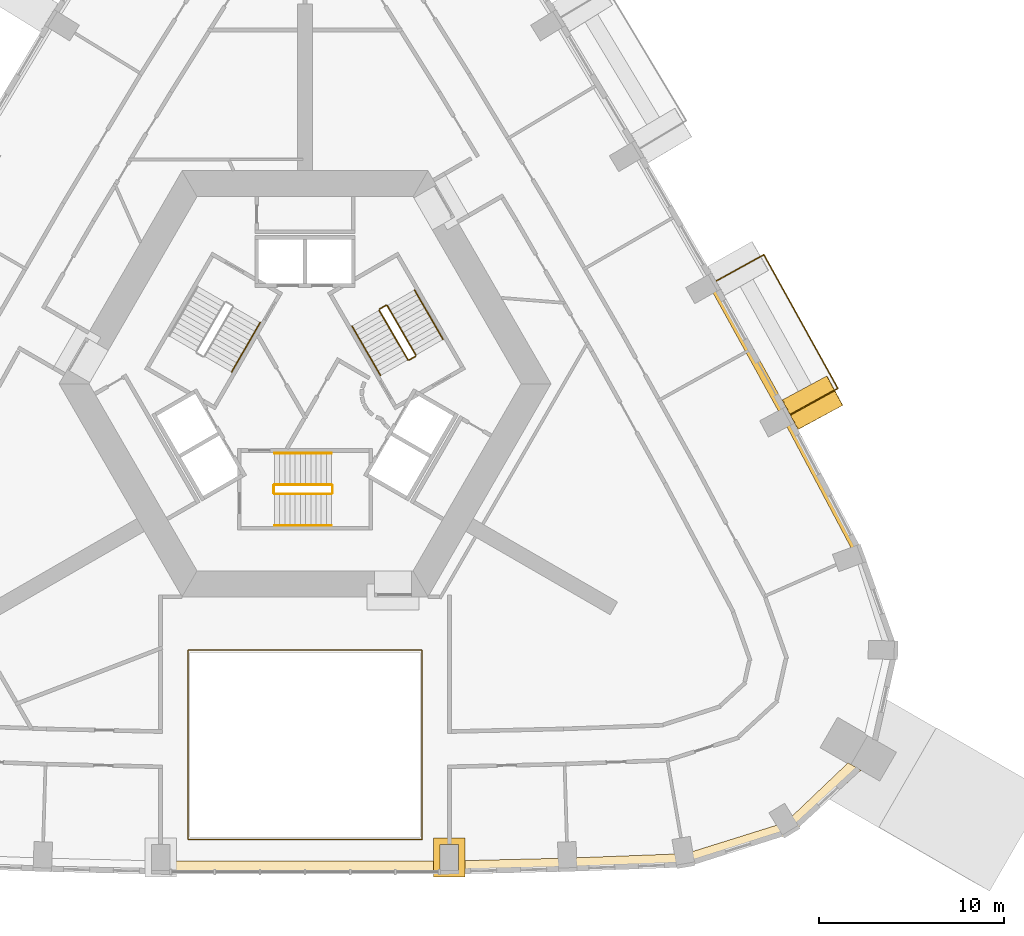
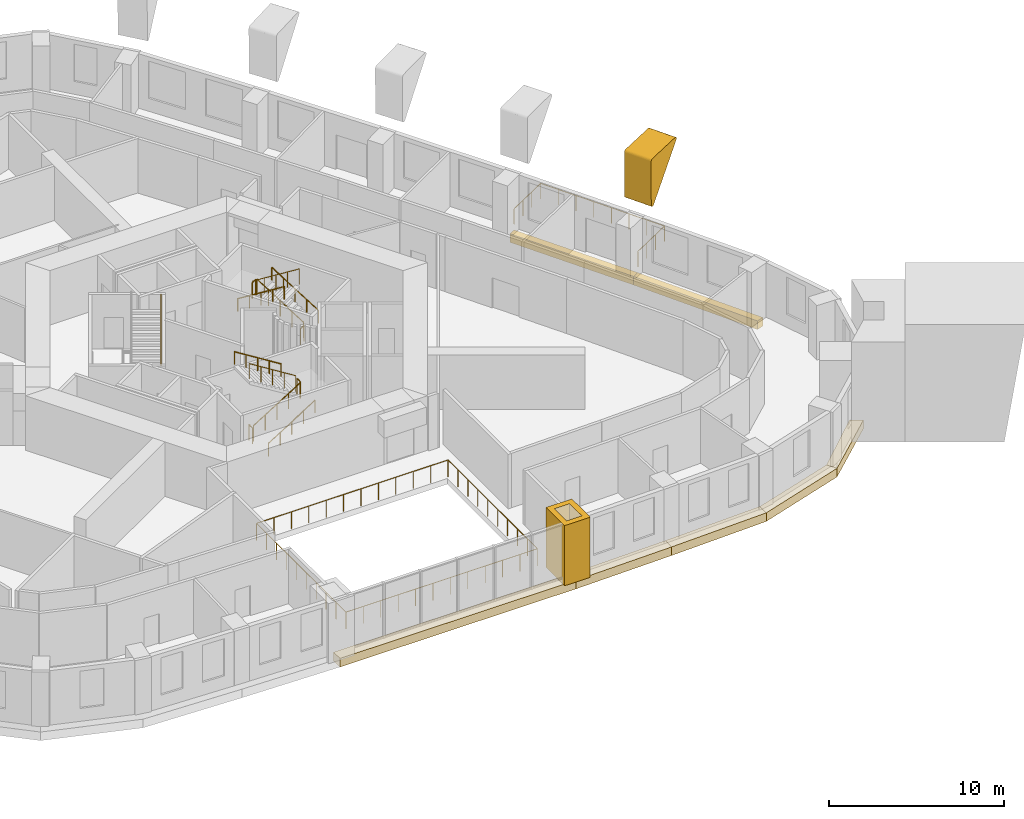
# One storey, part 12 of 13: 15 railings, 9 coverings.
"""IFC4 building model written with IfcOpenShell, lengths in metres."""

from ifc_helpers import new_model, si_unit, direction, frame, origin, origin_2d, place, context, subcontext, project, spatial, polyline, circle, outline, extrude, material, type_object, element, save


model = new_model("IFC4")

# Units and contexts
model_context = context("Model", 3, precision=1e-05, world=origin(), true_north=direction((0.0, 1.0)))
body_context = subcontext(model_context, "Body", "Model", "MODEL_VIEW")
ifc_project = project(units=[si_unit("LENGTHUNIT", "METRE"), si_unit("AREAUNIT", "SQUARE_METRE"), si_unit("VOLUMEUNIT", "CUBIC_METRE"), si_unit("PLANEANGLEUNIT", "RADIAN"), si_unit("MASSUNIT", "GRAM", prefix="KILO")], contexts=[model_context])

# Site, building, storey
site_placement = place(None, origin())
site = spatial("IfcSite", under=ifc_project, at=site_placement, CompositionType="ELEMENT")
building_placement = place(site_placement, origin())
building = spatial("IfcBuilding", under=site, at=building_placement, Name="Entoto Arch Interchange Tower", CompositionType="ELEMENT")
storey_placement = place(building_placement, frame((0.0, 0.0, 227.60009765625)))
storey = spatial("IfcBuildingStorey", under=building, at=storey_placement, Name="L51", CompositionType="ELEMENT", Elevation=227.60009765625)

# Railings
ifc_material_1 = material(Name="Stainless steel 1.4301", Category="steel")
railing_type_1 = type_object("IfcRailingType", Name="ATRIUM GUARD 1200 STEEL AND GLASS", PredefinedType="GUARDRAIL", material=ifc_material_1)
railing_1_placement = place(storey_placement, frame((6.320068359375, -22.097900390625, 0.0)))
element("IfcRailing", 1, at=railing_1_placement, inside=storey, type_object=railing_type_1, Name="Atrium guard L51", PredefinedType="GUARDRAIL", context=body_context, shape_type="SweptSolid", body=[
    extrude(circle(Radius=0.02392578125, at=origin_2d()), frame((0.0, 0.0, 1.17578125), z_axis=(-1.0, 0.0, 0.0), x_axis=(0.0, -1.0, 0.0)), (0.0, 0.0, 1.0), 12.64013671875),
    extrude(circle(Radius=0.02392578125, at=origin_2d()), frame((-12.64013671875, 0.0, 1.17578125), z_axis=(0.0, 1.0, 0.0), x_axis=(-1.0, 0.0, 0.0)), (0.0, 0.0, 1.0), 10.218017578125),
    extrude(circle(Radius=0.02392578125, at=origin_2d()), frame((-12.64013671875, 10.218017578125, 1.17578125), z_axis=(1.0, 0.0, 0.0), x_axis=(0.0, 1.0, 0.0)), (0.0, 0.0, 1.0), 12.64013671875),
    extrude(circle(Radius=0.02392578125, at=origin_2d()), frame((0.0, 10.218017578125, 1.17578125), z_axis=(0.0, -1.0, 0.0), x_axis=(1.0, 0.0, 0.0)), (0.0, 0.0, 1.0), 10.218017578125),
    extrude(circle(Radius=0.02099609375, at=origin_2d()), origin(), (0.0, 0.0, 1.0), 1.15185546875),
    extrude(circle(Radius=0.02099609375, at=origin_2d()), frame((-1.149169921875, 0.0, 0.0)), (0.0, 0.0, 1.0), 1.15185546875),
    extrude(circle(Radius=0.02099609375, at=origin_2d()), frame((-2.298095703125, 0.0, 0.0)), (0.0, 0.0, 1.0), 1.15185546875),
    extrude(circle(Radius=0.02099609375, at=origin_2d()), frame((-3.447265625, 0.0, 0.0)), (0.0, 0.0, 1.0), 1.15185546875),
    extrude(circle(Radius=0.02099609375, at=origin_2d()), frame((-4.596435546875, 0.0, 0.0)), (0.0, 0.0, 1.0), 1.15185546875),
    extrude(circle(Radius=0.02099609375, at=origin_2d()), frame((-5.74560546875, 0.0, 0.0)), (0.0, 0.0, 1.0), 1.15185546875),
    extrude(circle(Radius=0.02099609375, at=origin_2d()), frame((-6.89453125, 0.0, 0.0)), (0.0, 0.0, 1.0), 1.15185546875),
    extrude(circle(Radius=0.02099609375, at=origin_2d()), frame((-8.043701171875, 0.0, 0.0)), (0.0, 0.0, 1.0), 1.15185546875),
    extrude(circle(Radius=0.02099609375, at=origin_2d()), frame((-9.19287109375, 0.0, 0.0)), (0.0, 0.0, 1.0), 1.15185546875),
    extrude(circle(Radius=0.02099609375, at=origin_2d()), frame((-10.342041015625, 0.0, 0.0)), (0.0, 0.0, 1.0), 1.15185546875),
    extrude(circle(Radius=0.02099609375, at=origin_2d()), frame((-11.490966796875, 0.0, 0.0)), (0.0, 0.0, 1.0), 1.15185546875),
    extrude(circle(Radius=0.02099609375, at=origin_2d()), frame((-12.64013671875, 0.0, 0.0)), (0.0, 0.0, 1.0), 1.15185546875),
    extrude(circle(Radius=0.02099609375, at=origin_2d()), frame((-12.64013671875, 1.13525390625, 0.0)), (0.0, 0.0, 1.0), 1.15185546875),
    extrude(circle(Radius=0.02099609375, at=origin_2d()), frame((-12.64013671875, 2.270751953125, 0.0)), (0.0, 0.0, 1.0), 1.15185546875),
    extrude(circle(Radius=0.02099609375, at=origin_2d()), frame((-12.64013671875, 3.406005859375, 0.0)), (0.0, 0.0, 1.0), 1.15185546875),
    extrude(circle(Radius=0.02099609375, at=origin_2d()), frame((-12.64013671875, 4.541259765625, 0.0)), (0.0, 0.0, 1.0), 1.15185546875),
    extrude(circle(Radius=0.02099609375, at=origin_2d()), frame((-12.64013671875, 5.6767578125, 0.0)), (0.0, 0.0, 1.0), 1.15185546875),
    extrude(circle(Radius=0.02099609375, at=origin_2d()), frame((-12.64013671875, 6.81201171875, 0.0)), (0.0, 0.0, 1.0), 1.15185546875),
    extrude(circle(Radius=0.02099609375, at=origin_2d()), frame((-12.64013671875, 7.947265625, 0.0)), (0.0, 0.0, 1.0), 1.15185546875),
    extrude(circle(Radius=0.02099609375, at=origin_2d()), frame((-12.64013671875, 9.082763671875, 0.0)), (0.0, 0.0, 1.0), 1.15185546875),
    extrude(circle(Radius=0.02099609375, at=origin_2d()), frame((-12.64013671875, 10.218017578125, 0.0)), (0.0, 0.0, 1.0), 1.15185546875),
    extrude(circle(Radius=0.02099609375, at=origin_2d()), frame((-11.490966796875, 10.218017578125, 0.0)), (0.0, 0.0, 1.0), 1.15185546875),
    extrude(circle(Radius=0.02099609375, at=origin_2d()), frame((-10.342041015625, 10.218017578125, 0.0)), (0.0, 0.0, 1.0), 1.15185546875),
    extrude(circle(Radius=0.02099609375, at=origin_2d()), frame((-9.19287109375, 10.218017578125, 0.0)), (0.0, 0.0, 1.0), 1.15185546875),
    extrude(circle(Radius=0.02099609375, at=origin_2d()), frame((-8.043701171875, 10.218017578125, 0.0)), (0.0, 0.0, 1.0), 1.15185546875),
    extrude(circle(Radius=0.02099609375, at=origin_2d()), frame((-6.89453125, 10.218017578125, 0.0)), (0.0, 0.0, 1.0), 1.15185546875),
    extrude(circle(Radius=0.02099609375, at=origin_2d()), frame((-5.74560546875, 10.218017578125, 0.0)), (0.0, 0.0, 1.0), 1.15185546875),
    extrude(circle(Radius=0.02099609375, at=origin_2d()), frame((-4.596435546875, 10.218017578125, 0.0)), (0.0, 0.0, 1.0), 1.15185546875),
    extrude(circle(Radius=0.02099609375, at=origin_2d()), frame((-3.447265625, 10.218017578125, 0.0)), (0.0, 0.0, 1.0), 1.15185546875),
    extrude(circle(Radius=0.02099609375, at=origin_2d()), frame((-2.298095703125, 10.218017578125, 0.0)), (0.0, 0.0, 1.0), 1.15185546875),
    extrude(circle(Radius=0.02099609375, at=origin_2d()), frame((-1.149169921875, 10.218017578125, 0.0)), (0.0, 0.0, 1.0), 1.15185546875),
    extrude(circle(Radius=0.02099609375, at=origin_2d()), frame((0.0, 10.218017578125, 0.0)), (0.0, 0.0, 1.0), 1.15185546875),
    extrude(circle(Radius=0.02099609375, at=origin_2d()), frame((0.0, 9.082763671875, 0.0)), (0.0, 0.0, 1.0), 1.15185546875),
    extrude(circle(Radius=0.02099609375, at=origin_2d()), frame((0.0, 7.947265625, 0.0)), (0.0, 0.0, 1.0), 1.15185546875),
    extrude(circle(Radius=0.02099609375, at=origin_2d()), frame((0.0, 6.81201171875, 0.0)), (0.0, 0.0, 1.0), 1.15185546875),
    extrude(circle(Radius=0.02099609375, at=origin_2d()), frame((0.0, 5.6767578125, 0.0)), (0.0, 0.0, 1.0), 1.15185546875),
    extrude(circle(Radius=0.02099609375, at=origin_2d()), frame((0.0, 4.541259765625, 0.0)), (0.0, 0.0, 1.0), 1.15185546875),
    extrude(circle(Radius=0.02099609375, at=origin_2d()), frame((0.0, 3.406005859375, 0.0)), (0.0, 0.0, 1.0), 1.15185546875),
    extrude(circle(Radius=0.02099609375, at=origin_2d()), frame((0.0, 2.270751953125, 0.0)), (0.0, 0.0, 1.0), 1.15185546875),
    extrude(circle(Radius=0.02099609375, at=origin_2d()), frame((0.0, 1.13525390625, 0.0)), (0.0, 0.0, 1.0), 1.15185546875),
])
railing_type_2 = type_object("IfcRailingType", Name="GUARD 1100 STEEL AND GLASS", PredefinedType="GUARDRAIL", material=ifc_material_1)
railing_2_placement = place(storey_placement, frame((26.18701171875, 0.818115234375, 0.0)))
element("IfcRailing", 2, at=railing_2_placement, inside=storey, type_object=railing_type_2, Name="Balcony guard NE-02 L51", PredefinedType="GUARDRAIL", context=body_context, shape_type="SweptSolid", body=[
    extrude(circle(Radius=0.02392578125, at=origin_2d()), frame((0.0, 0.0, 1.076171875), z_axis=(0.874652625283, 0.484750229588, 0.0), x_axis=(-0.484750229588, 0.874652625283, 0.0)), (0.0, 0.0, 1.0), 2.949951171875),
    extrude(circle(Radius=0.02392578125, at=origin_2d()), frame((2.580078125, 1.429931640625, 1.076171875), z_axis=(-0.484759113239, 0.874647701724, 0.0), x_axis=(-0.874647701724, -0.484759113239, 0.0)), (0.0, 0.0, 1.0), 8.258056640625),
    extrude(circle(Radius=0.02392578125, at=origin_2d()), frame((-1.423095703125, 8.65283203125, 1.076171875), z_axis=(-0.874633174996, -0.484785322793, 0.0), x_axis=(0.484785322793, -0.874633174996, 0.0)), (0.0, 0.0, 1.0), 2.94970703125),
    extrude(circle(Radius=0.02099609375, at=origin_2d()), origin(), (0.0, 0.0, 1.0), 1.052001953125),
    extrude(circle(Radius=0.02099609375, at=origin_2d()), frame((0.860107421875, 0.4765625, 0.0)), (0.0, 0.0, 1.0), 1.052001953125),
    extrude(circle(Radius=0.02099609375, at=origin_2d()), frame((1.719970703125, 0.953369140625, 0.0)), (0.0, 0.0, 1.0), 1.052001953125),
    extrude(circle(Radius=0.02099609375, at=origin_2d()), frame((2.580078125, 1.429931640625, 0.0)), (0.0, 0.0, 1.0), 1.052001953125),
    extrude(circle(Radius=0.02099609375, at=origin_2d()), frame((2.00830078125, 2.461669921875, 0.0)), (0.0, 0.0, 1.0), 1.052001953125),
    extrude(circle(Radius=0.02099609375, at=origin_2d()), frame((1.436279296875, 3.49365234375, 0.0)), (0.0, 0.0, 1.0), 1.052001953125),
    extrude(circle(Radius=0.02099609375, at=origin_2d()), frame((0.864501953125, 4.525390625, 0.0)), (0.0, 0.0, 1.0), 1.052001953125),
    extrude(circle(Radius=0.02099609375, at=origin_2d()), frame((0.29248046875, 5.557373046875, 0.0)), (0.0, 0.0, 1.0), 1.052001953125),
    extrude(circle(Radius=0.02099609375, at=origin_2d()), frame((-0.279296875, 6.589111328125, 0.0)), (0.0, 0.0, 1.0), 1.052001953125),
    extrude(circle(Radius=0.02099609375, at=origin_2d()), frame((-0.851318359375, 7.62109375, 0.0)), (0.0, 0.0, 1.0), 1.052001953125),
    extrude(circle(Radius=0.02099609375, at=origin_2d()), frame((-1.423095703125, 8.65283203125, 0.0)), (0.0, 0.0, 1.0), 1.052001953125),
    extrude(circle(Radius=0.02099609375, at=origin_2d()), frame((-2.282958984375, 8.17626953125, 0.0)), (0.0, 0.0, 1.0), 1.052001953125),
    extrude(circle(Radius=0.02099609375, at=origin_2d()), frame((-3.14306640625, 7.699462890625, 0.0)), (0.0, 0.0, 1.0), 1.052001953125),
    extrude(circle(Radius=0.02099609375, at=origin_2d()), frame((-4.0029296875, 7.222900390625, 0.0)), (0.0, 0.0, 1.0), 1.052001953125),
])

# Coverings
ifc_material_2 = material(Name="Board-marked precast concrete C50/60", Category="concrete")
covering_type_1 = type_object("IfcCoveringType", Name="PRECAST FRAME COURSE", PredefinedType="CLADDING", material=ifc_material_2)
covering_1_placement = place(storey_placement, frame((26.847900390625, 0.152099609375, 4.52880859375), z_axis=(0.474181456672, -0.880421252864, 0.003219263049), x_axis=(-0.64040961792, -0.347419423162, -0.684963696619)))
element("IfcCovering", 3, at=covering_1_placement, inside=storey, type_object=covering_type_1, Name="Fold rib NE02 L51-L52", PredefinedType="CLADDING", context=body_context, shape_type="SweptSolid", body=[
    extrude(outline(polyline([(0.0, 0.0), (0.04348444132480142, 3.469446951953614e-18), (0.08565848144280483, -0.013512231858806914), (0.12266217940254887, -0.03858316566514664), (0.1494976343794682, -0.07352825472401936), (0.16626397727887765, -0.11375188990356071), (0.16947462050671258, -0.15798963669574703), (0.1600247001061196, -0.20137888977179422), (0.13878421954366793, -0.24038693557333266), (-1.9437167677786034, -2.4564773655693344), (-1.965988662950293, -2.475411599731649), (-1.9912115971794682, -2.489904432940024), (-2.0335973690768294, -2.5023269007314255), (-2.063026418389554, -2.503478248943292), (-2.092291072033244, -2.498081724668665), (-2.132586922044267, -2.4806404563512006), (-2.1560014462090984, -2.462648358678361), (-3.9433085804081784, -0.7823143465947686), (-3.97064089592964, -0.7485737966416508), (-3.982264467914356, -0.7212266127199405), (-3.9884904193807964, -0.6932559650261458), (-3.9897817447319097, -0.6632230468887885), (-3.985260786854724, -0.6346360621168383), (-3.974805272321828, -0.6072685903012112), (-3.9591348536113453, -0.582127256914289), (-3.9394020127419553, -0.5611381772795017), (-3.915897694801169, -0.5433555896062159), (-3.889228712105213, -0.5312351319394464), (-3.860973086843413, -0.5249588996909016), (0.0, 0.0)])), origin(), (0.0, 0.0, -1.0), 1.800048828125),
])
covering_2_placement = place(storey_placement, frame((0.0, 0.0, -0.400146484375)))
element("IfcCovering", 4, at=covering_2_placement, inside=storey, type_object=covering_type_1, Name="Gate pier L51", PredefinedType="CLADDING", context=body_context, shape_type="SweptSolid", body=[
    extrude(outline(polyline([(6.93798828125, -22.028076171875), (8.637939453125, -22.028076171875), (8.637939453125, -24.1279296875), (6.93798828125, -24.1279296875), (6.93798828125, -22.028076171875)]), holes=[polyline([(7.2880859375, -22.3779296875), (7.2880859375, -23.778076171875), (8.2880859375, -23.778076171875), (8.2880859375, -22.3779296875), (7.2880859375, -22.3779296875)])]), origin(), (0.0, 0.0, 1.0), 4.199951171875),
])
covering_type_2 = type_object("IfcCoveringType", Name="PRECAST LEDGE COURSE", PredefinedType="CLADDING", material=ifc_material_2)
covering_3_placement = place(storey_placement, frame((0.0, 0.0, -1.0)))
element("IfcCovering", 5, at=covering_3_placement, inside=storey, type_object=covering_type_2, Name="Precast course S-03 L51", PredefinedType="CLADDING", context=body_context, shape_type="SweptSolid", body=[
    extrude(outline(polyline([(7.800048828125, -23.260986328125), (7.800048828125, -23.97802734375), (-7.800048828125, -23.97802734375), (-7.800048828125, -23.260986328125), (7.800048828125, -23.260986328125)])), origin(), (0.0, 0.0, 1.0), 0.599853515625),
])
covering_4_placement = place(storey_placement, frame((0.0, 0.0, -1.0)))
element("IfcCovering", 6, at=covering_4_placement, inside=storey, type_object=covering_type_2, Name="Precast course S-04 L51", PredefinedType="CLADDING", context=body_context, shape_type="SweptSolid", body=[
    extrude(outline(polyline([(14.18505859375, -23.10693359375), (14.18505859375, -23.830078125), (7.800048828125, -23.97802734375), (7.800048828125, -23.260986328125), (14.18505859375, -23.10693359375)])), origin(), (0.0, 0.0, 1.0), 0.599853515625),
])
covering_5_placement = place(storey_placement, frame((0.0, 0.0, -1.0)))
element("IfcCovering", 7, at=covering_5_placement, inside=storey, type_object=covering_type_2, Name="Precast course S-05 L51", PredefinedType="CLADDING", context=body_context, shape_type="SweptSolid", body=[
    extrude(outline(polyline([(20.569091796875, -22.862060546875), (20.569091796875, -23.594970703125), (14.18505859375, -23.830078125), (14.18505859375, -23.10693359375), (20.569091796875, -22.862060546875)])), origin(), (0.0, 0.0, 1.0), 0.599853515625),
])
covering_6_placement = place(storey_placement, frame((0.0, 0.0, -1.0)))
element("IfcCovering", 8, at=covering_6_placement, inside=storey, type_object=covering_type_2, Name="Precast course SE-01 L51", PredefinedType="CLADDING", context=body_context, shape_type="SweptSolid", body=[
    extrude(outline(polyline([(25.93798828125, -21.179931640625), (26.299072265625, -21.77099609375), (20.569091796875, -23.594970703125), (20.569091796875, -22.862060546875), (25.93798828125, -21.179931640625)])), origin(), (0.0, 0.0, 1.0), 0.599853515625),
])
covering_7_placement = place(storey_placement, frame((0.0, 0.0, -1.0)))
element("IfcCovering", 9, at=covering_7_placement, inside=storey, type_object=covering_type_2, Name="Precast course SE-02 L51", PredefinedType="CLADDING", context=body_context, shape_type="SweptSolid", body=[
    extrude(outline(polyline([(29.31298828125, -17.962890625), (30.0048828125, -18.363037109375), (26.299072265625, -21.77099609375), (25.93798828125, -21.179931640625), (29.31298828125, -17.962890625)])), origin(), (0.0, 0.0, 1.0), 0.599853515625),
])
covering_8_placement = place(storey_placement, frame((0.0, 0.0, -1.0)))
element("IfcCovering", 10, at=covering_8_placement, inside=storey, type_object=covering_type_2, Name="Precast course NE-01 L51", PredefinedType="CLADDING", context=body_context, shape_type="SweptSolid", body=[
    extrude(outline(polyline([(25.784912109375, 0.60205078125), (26.18701171875, 0.818115234375), (30.14306640625, -6.6240234375), (29.699951171875, -6.7880859375), (25.784912109375, 0.60205078125)])), origin(), (0.0, 0.0, 1.0), 0.599853515625),
])
covering_9_placement = place(storey_placement, frame((0.0, 0.0, -1.0)))
element("IfcCovering", 11, at=covering_9_placement, inside=storey, type_object=covering_type_2, Name="Precast course NE-02 L51", PredefinedType="CLADDING", context=body_context, shape_type="SweptSolid", body=[
    extrude(outline(polyline([(21.791015625, 7.819091796875), (22.18408203125, 8.041015625), (26.18701171875, 0.818115234375), (25.784912109375, 0.60205078125), (21.791015625, 7.819091796875)])), origin(), (0.0, 0.0, 1.0), 0.599853515625),
])

# Railings
railing_type_3 = type_object("IfcRailingType", Name="STAIR GUARD 1100 STEEL", PredefinedType="GUARDRAIL", material=ifc_material_1)
railing_3_placement = place(storey_placement, frame((-1.64990234375, -3.449951171875, 0.1748046875)))
element("IfcRailing", 12, at=railing_3_placement, inside=storey, type_object=railing_type_3, Name="L51 ST-S stair guard 1", PredefinedType="GUARDRAIL", context=body_context, shape_type="SweptSolid", body=[
    extrude(circle(Radius=0.02392578125, at=origin_2d()), frame((0.0, 0.0, 1.076171875), z_axis=(0.847979421464, 0.0, 0.530029150871), x_axis=(0.0, 1.0, 0.0)), (0.0, 0.0, 1.0), 3.632080078125),
    extrude(circle(Radius=0.02099609375, at=origin_2d()), origin(), (0.0, 0.0, 1.0), 1.052001953125),
    extrude(circle(Radius=0.02099609375, at=origin_2d()), frame((0.77001953125, 0.0, 0.481201171875)), (0.0, 0.0, 1.0), 1.052001953125),
    extrude(circle(Radius=0.02099609375, at=origin_2d()), frame((1.5400390625, 0.0, 0.96240234375)), (0.0, 0.0, 1.0), 1.052001953125),
    extrude(circle(Radius=0.02099609375, at=origin_2d()), frame((2.309814453125, 0.0, 1.44384765625)), (0.0, 0.0, 1.0), 1.052001953125),
    extrude(circle(Radius=0.02099609375, at=origin_2d()), frame((3.079833984375, 0.0, 1.925048828125)), (0.0, 0.0, 1.0), 1.052001953125),
])
railing_4_placement = place(storey_placement, frame((1.47998046875, -3.39990234375, 2.099853515625)))
element("IfcRailing", 13, at=railing_4_placement, inside=storey, type_object=railing_type_3, Name="L51 ST-S stair guard 2", PredefinedType="GUARDRAIL", context=body_context, shape_type="SweptSolid", body=[
    extrude(circle(Radius=0.02392578125, at=origin_2d()), frame((0.0, 0.0, 1.076171875), z_axis=(0.0, 1.0, 0.0), x_axis=(-1.0, 0.0, 0.0)), (0.0, 0.0, 1.0), 0.39990234375),
    extrude(circle(Radius=0.02099609375, at=origin_2d()), origin(), (0.0, 0.0, 1.0), 1.052001953125),
    extrude(circle(Radius=0.02099609375, at=origin_2d()), frame((0.0, 0.39990234375, 0.0)), (0.0, 0.0, 1.0), 1.052001953125),
])
railing_5_placement = place(storey_placement, frame((1.429931640625, -2.949951171875, 2.27490234375)))
element("IfcRailing", 14, at=railing_5_placement, inside=storey, type_object=railing_type_3, Name="L51 ST-S stair guard 3", PredefinedType="GUARDRAIL", context=body_context, shape_type="SweptSolid", body=[
    extrude(circle(Radius=0.02392578125, at=origin_2d()), frame((0.0, 0.0, 1.076171875), z_axis=(-0.847979421464, 0.0, 0.530029150871), x_axis=(0.0, -1.0, 0.0)), (0.0, 0.0, 1.0), 3.632080078125),
    extrude(circle(Radius=0.02099609375, at=origin_2d()), origin(), (0.0, 0.0, 1.0), 1.052001953125),
    extrude(circle(Radius=0.02099609375, at=origin_2d()), frame((-0.77001953125, 0.0, 0.481201171875)), (0.0, 0.0, 1.0), 1.052001953125),
    extrude(circle(Radius=0.02099609375, at=origin_2d()), frame((-1.5400390625, 0.0, 0.96240234375)), (0.0, 0.0, 1.0), 1.052001953125),
    extrude(circle(Radius=0.02099609375, at=origin_2d()), frame((-2.309814453125, 0.0, 1.44384765625)), (0.0, 0.0, 1.0), 1.052001953125),
    extrude(circle(Radius=0.02099609375, at=origin_2d()), frame((-3.079833984375, 0.0, 1.925048828125)), (0.0, 0.0, 1.0), 1.052001953125),
])
railing_6_placement = place(storey_placement, frame((-1.699951171875, -3.39990234375, 0.0)))
element("IfcRailing", 15, at=railing_6_placement, inside=storey, type_object=railing_type_3, Name="L51 ST-S stair guard 4", PredefinedType="GUARDRAIL", context=body_context, shape_type="SweptSolid", body=[
    extrude(circle(Radius=0.02392578125, at=origin_2d()), frame((0.0, 0.0, 1.076171875), z_axis=(0.0, 1.0, 0.0), x_axis=(-1.0, 0.0, 0.0)), (0.0, 0.0, 1.0), 0.39990234375),
    extrude(circle(Radius=0.02099609375, at=origin_2d()), origin(), (0.0, 0.0, 1.0), 1.052001953125),
    extrude(circle(Radius=0.02099609375, at=origin_2d()), frame((0.0, 0.39990234375, 0.0)), (0.0, 0.0, 1.0), 1.052001953125),
])
railing_7_placement = place(storey_placement, frame((5.977783203125, 4.046142578125, 0.1748046875)))
element("IfcRailing", 16, at=railing_7_placement, inside=storey, type_object=railing_type_3, Name="L51 ST-NE stair guard 1", PredefinedType="GUARDRAIL", context=body_context, shape_type="SweptSolid", body=[
    extrude(circle(Radius=0.02392578125, at=origin_2d()), frame((0.0, 0.0, 1.076171875), z_axis=(-0.424015404183, 0.734364028329, 0.530019255228), x_axis=(-0.866010015463, -0.500026652407, 0.0)), (0.0, 0.0, 1.0), 3.632080078125),
    extrude(circle(Radius=0.02099609375, at=origin_2d()), origin(), (0.0, 0.0, 1.0), 1.052001953125),
    extrude(circle(Radius=0.02099609375, at=origin_2d()), frame((-0.385009765625, 0.666748046875, 0.481201171875)), (0.0, 0.0, 1.0), 1.052001953125),
    extrude(circle(Radius=0.02099609375, at=origin_2d()), frame((-0.77001953125, 1.33349609375, 0.96240234375)), (0.0, 0.0, 1.0), 1.052001953125),
    extrude(circle(Radius=0.02099609375, at=origin_2d()), frame((-1.155029296875, 2.00048828125, 1.44384765625)), (0.0, 0.0, 1.0), 1.052001953125),
    extrude(circle(Radius=0.02099609375, at=origin_2d()), frame((-1.5400390625, 2.667236328125, 1.925048828125)), (0.0, 0.0, 1.0), 1.052001953125),
])
railing_8_placement = place(storey_placement, frame((4.36962890625, 6.731689453125, 2.099853515625)))
element("IfcRailing", 17, at=railing_8_placement, inside=storey, type_object=railing_type_3, Name="L51 ST-NE stair guard 2", PredefinedType="GUARDRAIL", context=body_context, shape_type="SweptSolid", body=[
    extrude(circle(Radius=0.02392578125, at=origin_2d()), frame((0.0, 0.0, 1.076171875), z_axis=(-0.866094119867, -0.499880961361, 0.0), x_axis=(0.499880961361, -0.866094119867, 0.0)), (0.0, 0.0, 1.0), 0.39990234375),
    extrude(circle(Radius=0.02099609375, at=origin_2d()), origin(), (0.0, 0.0, 1.0), 1.052001953125),
    extrude(circle(Radius=0.02099609375, at=origin_2d()), frame((-0.346435546875, -0.199951171875, 0.0)), (0.0, 0.0, 1.0), 1.052001953125),
])
railing_9_placement = place(storey_placement, frame((4.0048828125, 6.46337890625, 2.27490234375)))
element("IfcRailing", 18, at=railing_9_placement, inside=storey, type_object=railing_type_3, Name="L51 ST-NE stair guard 3", PredefinedType="GUARDRAIL", context=body_context, shape_type="SweptSolid", body=[
    extrude(circle(Radius=0.02392578125, at=origin_2d()), frame((0.0, 0.0, 1.076171875), z_axis=(0.424015404183, -0.734364028329, 0.530019255228), x_axis=(0.866010015463, 0.500026652407, 0.0)), (0.0, 0.0, 1.0), 3.632080078125),
    extrude(circle(Radius=0.02099609375, at=origin_2d()), origin(), (0.0, 0.0, 1.0), 1.052001953125),
    extrude(circle(Radius=0.02099609375, at=origin_2d()), frame((0.385009765625, -0.666748046875, 0.481201171875)), (0.0, 0.0, 1.0), 1.052001953125),
    extrude(circle(Radius=0.02099609375, at=origin_2d()), frame((0.77001953125, -1.33349609375, 0.96240234375)), (0.0, 0.0, 1.0), 1.052001953125),
    extrude(circle(Radius=0.02099609375, at=origin_2d()), frame((1.155029296875, -2.00048828125, 1.44384765625)), (0.0, 0.0, 1.0), 1.052001953125),
    extrude(circle(Radius=0.02099609375, at=origin_2d()), frame((1.5400390625, -2.667236328125, 1.925048828125)), (0.0, 0.0, 1.0), 1.052001953125),
])
railing_10_placement = place(storey_placement, frame((5.95947265625, 3.977783203125, 0.0)))
element("IfcRailing", 19, at=railing_10_placement, inside=storey, type_object=railing_type_3, Name="L51 ST-NE stair guard 4", PredefinedType="GUARDRAIL", context=body_context, shape_type="SweptSolid", body=[
    extrude(circle(Radius=0.02392578125, at=origin_2d()), frame((0.0, 0.0, 1.076171875), z_axis=(-0.866094119867, -0.499880961361, 0.0), x_axis=(0.499880961361, -0.866094119867, 0.0)), (0.0, 0.0, 1.0), 0.39990234375),
    extrude(circle(Radius=0.02099609375, at=origin_2d()), origin(), (0.0, 0.0, 1.0), 1.052001953125),
    extrude(circle(Radius=0.02099609375, at=origin_2d()), frame((-0.346435546875, -0.199951171875, 0.0)), (0.0, 0.0, 1.0), 1.052001953125),
])
railing_type_4 = type_object("IfcRailingType", Name="STAIR HANDRAIL 900 STEEL", PredefinedType="HANDRAIL", material=ifc_material_1)
railing_11_placement = place(storey_placement, frame((-1.64990234375, -5.14990234375, 0.1748046875)))
element("IfcRailing", 20, at=railing_11_placement, inside=storey, type_object=railing_type_4, Name="L51 ST-S stair handrail 1", PredefinedType="HANDRAIL", context=body_context, shape_type="SweptSolid", body=[
    extrude(circle(Radius=0.02392578125, at=origin_2d()), frame((0.0, 0.0, 0.8759765625), z_axis=(0.847979421464, 0.0, 0.530029150871), x_axis=(0.0, 1.0, 0.0)), (0.0, 0.0, 1.0), 3.632080078125),
    extrude(circle(Radius=0.02099609375, at=origin_2d()), origin(), (0.0, 0.0, 1.0), 0.851806640625),
    extrude(circle(Radius=0.02099609375, at=origin_2d()), frame((0.77001953125, 0.0, 0.481201171875)), (0.0, 0.0, 1.0), 0.851806640625),
    extrude(circle(Radius=0.02099609375, at=origin_2d()), frame((1.5400390625, 0.0, 0.96240234375)), (0.0, 0.0, 1.0), 0.851806640625),
    extrude(circle(Radius=0.02099609375, at=origin_2d()), frame((2.309814453125, 0.0, 1.44384765625)), (0.0, 0.0, 1.0), 0.851806640625),
    extrude(circle(Radius=0.02099609375, at=origin_2d()), frame((3.079833984375, 0.0, 1.925048828125)), (0.0, 0.0, 1.0), 0.851806640625),
])
railing_12_placement = place(storey_placement, frame((1.429931640625, -1.25, 2.27490234375)))
element("IfcRailing", 21, at=railing_12_placement, inside=storey, type_object=railing_type_4, Name="L51 ST-S stair handrail 2", PredefinedType="HANDRAIL", context=body_context, shape_type="SweptSolid", body=[
    extrude(circle(Radius=0.02392578125, at=origin_2d()), frame((0.0, 0.0, 0.8759765625), z_axis=(-0.847979421464, 0.0, 0.530029150871), x_axis=(0.0, -1.0, 0.0)), (0.0, 0.0, 1.0), 3.632080078125),
    extrude(circle(Radius=0.02099609375, at=origin_2d()), origin(), (0.0, 0.0, 1.0), 0.851806640625),
    extrude(circle(Radius=0.02099609375, at=origin_2d()), frame((-0.77001953125, 0.0, 0.481201171875)), (0.0, 0.0, 1.0), 0.851806640625),
    extrude(circle(Radius=0.02099609375, at=origin_2d()), frame((-1.5400390625, 0.0, 0.96240234375)), (0.0, 0.0, 1.0), 0.851806640625),
    extrude(circle(Radius=0.02099609375, at=origin_2d()), frame((-2.309814453125, 0.0, 1.44384765625)), (0.0, 0.0, 1.0), 0.851806640625),
    extrude(circle(Radius=0.02099609375, at=origin_2d()), frame((-3.079833984375, 0.0, 1.925048828125)), (0.0, 0.0, 1.0), 0.851806640625),
])
railing_13_placement = place(storey_placement, frame((7.4501953125, 4.89599609375, 0.1748046875)))
element("IfcRailing", 22, at=railing_13_placement, inside=storey, type_object=railing_type_4, Name="L51 ST-NE stair handrail 1", PredefinedType="HANDRAIL", context=body_context, shape_type="SweptSolid", body=[
    extrude(circle(Radius=0.02392578125, at=origin_2d()), frame((0.0, 0.0, 0.8759765625), z_axis=(-0.423994474112, 0.734394994316, 0.52999309264), x_axis=(-0.866029832698, -0.499992328818, 0.0)), (0.0, 0.0, 1.0), 3.63232421875),
    extrude(circle(Radius=0.02099609375, at=origin_2d()), origin(), (0.0, 0.0, 1.0), 0.851806640625),
    extrude(circle(Radius=0.02099609375, at=origin_2d()), frame((-0.385009765625, 0.6669921875, 0.481201171875)), (0.0, 0.0, 1.0), 0.851806640625),
    extrude(circle(Radius=0.02099609375, at=origin_2d()), frame((-0.77001953125, 1.333740234375, 0.96240234375)), (0.0, 0.0, 1.0), 0.851806640625),
    extrude(circle(Radius=0.02099609375, at=origin_2d()), frame((-1.155029296875, 2.00048828125, 1.44384765625)), (0.0, 0.0, 1.0), 0.851806640625),
    extrude(circle(Radius=0.02099609375, at=origin_2d()), frame((-1.5400390625, 2.66748046875, 1.925048828125)), (0.0, 0.0, 1.0), 0.851806640625),
])
railing_14_placement = place(storey_placement, frame((2.53271484375, 5.613525390625, 2.27490234375)))
element("IfcRailing", 23, at=railing_14_placement, inside=storey, type_object=railing_type_4, Name="L51 ST-NE stair handrail 2", PredefinedType="HANDRAIL", context=body_context, shape_type="SweptSolid", body=[
    extrude(circle(Radius=0.02392578125, at=origin_2d()), frame((0.0, 0.0, 0.8759765625), z_axis=(0.423939339791, -0.734415923031, 0.53000819633), x_axis=(0.866064153644, 0.499932877268, 0.0)), (0.0, 0.0, 1.0), 3.632080078125),
    extrude(circle(Radius=0.02099609375, at=origin_2d()), origin(), (0.0, 0.0, 1.0), 0.851806640625),
    extrude(circle(Radius=0.02099609375, at=origin_2d()), frame((0.385009765625, -0.6669921875, 0.481201171875)), (0.0, 0.0, 1.0), 0.851806640625),
    extrude(circle(Radius=0.02099609375, at=origin_2d()), frame((0.77001953125, -1.333740234375, 0.96240234375)), (0.0, 0.0, 1.0), 0.851806640625),
    extrude(circle(Radius=0.02099609375, at=origin_2d()), frame((1.15478515625, -2.00048828125, 1.44384765625)), (0.0, 0.0, 1.0), 0.851806640625),
    extrude(circle(Radius=0.02099609375, at=origin_2d()), frame((1.539794921875, -2.66748046875, 1.925048828125)), (0.0, 0.0, 1.0), 0.851806640625),
])
railing_15_placement = place(storey_placement, frame((-3.962646484375, 3.136474609375, 2.27490234375)))
element("IfcRailing", 24, at=railing_15_placement, inside=storey, type_object=railing_type_4, Name="L51 ST-NW stair handrail 2", PredefinedType="HANDRAIL", context=body_context, shape_type="SweptSolid", body=[
    extrude(circle(Radius=0.02392578125, at=origin_2d()), frame((0.0, 0.0, 0.8759765625), z_axis=(0.423994474112, 0.734394994316, 0.52999309264), x_axis=(-0.866029832698, 0.499992328818, 0.0)), (0.0, 0.0, 1.0), 3.63232421875),
    extrude(circle(Radius=0.02099609375, at=origin_2d()), origin(), (0.0, 0.0, 1.0), 0.851806640625),
    extrude(circle(Radius=0.02099609375, at=origin_2d()), frame((0.385009765625, 0.6669921875, 0.481201171875)), (0.0, 0.0, 1.0), 0.851806640625),
    extrude(circle(Radius=0.02099609375, at=origin_2d()), frame((0.77001953125, 1.333740234375, 0.96240234375)), (0.0, 0.0, 1.0), 0.851806640625),
    extrude(circle(Radius=0.02099609375, at=origin_2d()), frame((1.155029296875, 2.00048828125, 1.44384765625)), (0.0, 0.0, 1.0), 0.851806640625),
    extrude(circle(Radius=0.02099609375, at=origin_2d()), frame((1.5400390625, 2.66748046875, 1.925048828125)), (0.0, 0.0, 1.0), 0.851806640625),
])

save(model, "model.ifc")
